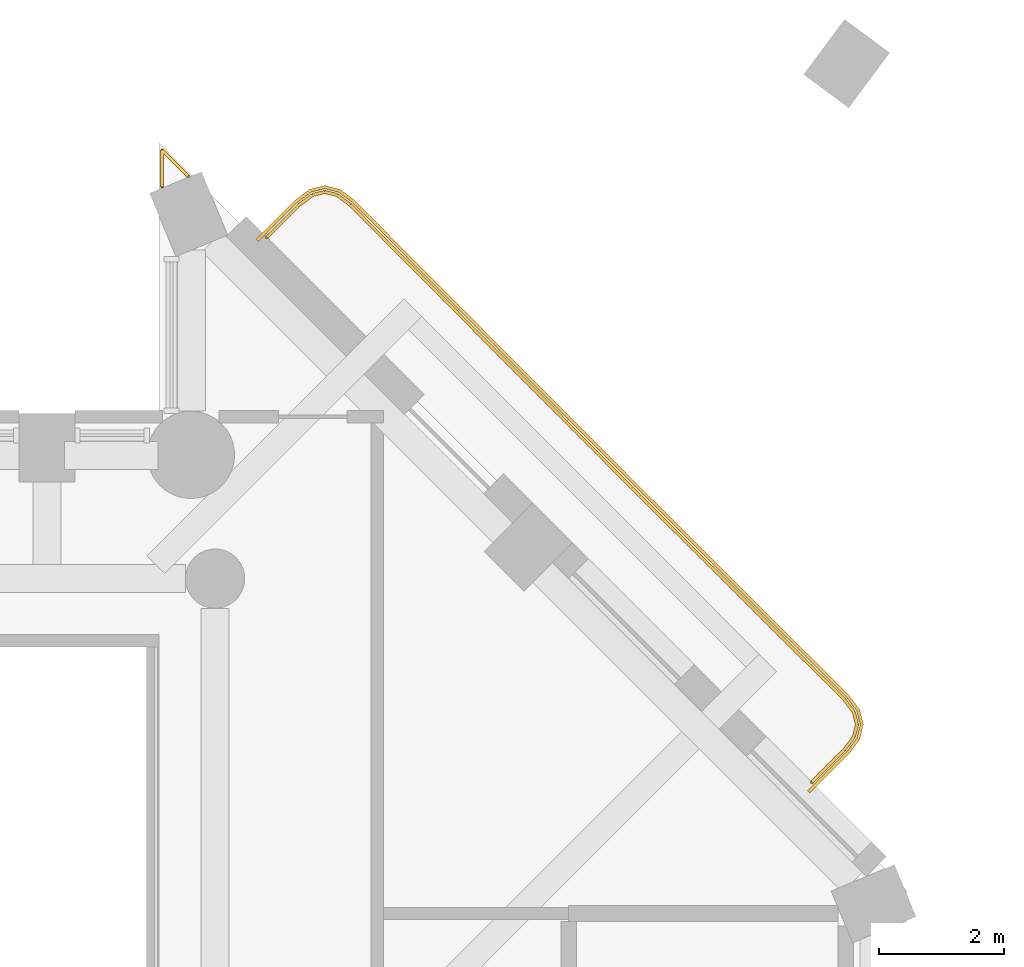
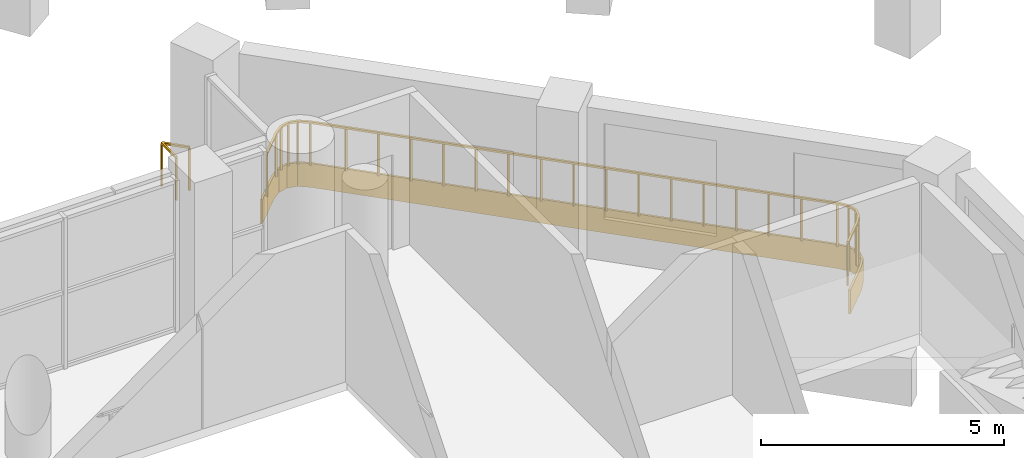
# One storey, part 14 of 14: 2 railings, 1 covering.
"""IFC4 building model written with IfcOpenShell, lengths in metres."""

import ifcopenshell
import ifcopenshell.guid

model = None  # the IFC model being written
_history = None  # IfcOwnerHistory: only IFC2X3 demands one
_inside = {}  # id of a spatial element -> (the spatial element, [elements in it])
_under = {}  # id of a project, library or spatial element -> (it, [spatial elements below it])
_declared = {}  # id of a project -> (the project, [libraries it declares])
_typed = {}  # id of a type object -> (the type object, [elements of that type])
_made_of = {}  # id of a material, layer set ... -> (it, [elements and type objects made of it])


def new_model(schema):
    """Start an empty IFC model of exactly this schema.

    Asked for "IFC4X3", IfcOpenShell would pick the latest addendum, in which some entities
    have other attributes; the version numbers below select the first issue.
    IFC2X3 requires an IfcOwnerHistory on every rooted entity: one is made here for all.
    """
    global model, _history
    if schema == "IFC4X3":
        model = ifcopenshell.file(schema_version=(4, 3, 0, 0))
    else:
        model = ifcopenshell.file(schema=schema)
    _inside.clear()
    _under.clear()
    _declared.clear()
    _typed.clear()
    _made_of.clear()
    _history = None
    if model.schema == "IFC2X3":
        org = make("IfcOrganization", Name="unknown")
        user = make(
            "IfcPersonAndOrganization",
            ThePerson=make("IfcPerson", FamilyName="unknown"),
            TheOrganization=org,
        )
        app = make(
            "IfcApplication",
            ApplicationDeveloper=org,
            Version="unknown",
            ApplicationFullName="unknown",
            ApplicationIdentifier="unknown",
        )
        _history = make(
            "IfcOwnerHistory",
            OwningUser=user,
            OwningApplication=app,
            ChangeAction="ADDED",
            CreationDate=0,
        )
    return model


def make(cls, **values):
    """One entity of the class cls with the attributes given. An attribute that is None is left unset."""
    return model.create_entity(
        cls, **{name: value for name, value in values.items() if value is not None}
    )


def rooted(cls, **values):
    """An entity with a GlobalId (a new one), such as an element, a storey or a relation."""
    return make(cls, GlobalId=ifcopenshell.guid.new(), OwnerHistory=_history, **values)


def si_unit(unit_type, name, prefix=None):
    """IfcSIUnit, for example si_unit("LENGTHUNIT", "METRE", prefix="MILLI")."""
    return make("IfcSIUnit", UnitType=unit_type, Prefix=prefix, Name=name)


def assignment(units):
    """IfcUnitAssignment: the units of a project."""
    return None if units is None else make("IfcUnitAssignment", Units=units)


def point(xyz):
    """IfcCartesianPoint."""
    return None if xyz is None else make("IfcCartesianPoint", Coordinates=xyz)


def direction(xyz):
    """IfcDirection."""
    return None if xyz is None else make("IfcDirection", DirectionRatios=xyz)


def frame(location, z_axis=None, x_axis=None):
    """IfcAxis2Placement3D, a coordinate frame: its origin and axes. An axis left out is left unset."""
    return make(
        "IfcAxis2Placement3D",
        Location=point(location),
        Axis=direction(z_axis),
        RefDirection=direction(x_axis),
    )


def frame_2d(location, x_axis=None):
    """IfcAxis2Placement2D, a coordinate frame in the plane: its origin and x axis."""
    return make(
        "IfcAxis2Placement2D", Location=point(location), RefDirection=direction(x_axis)
    )


def origin():
    """The frame at (0, 0, 0) with its axes left unset."""
    return frame((0.0, 0.0, 0.0))


def origin_2d():
    """The frame at (0, 0) in the plane with its x axis left unset."""
    return frame_2d((0.0, 0.0))


def place(relative_to, where):
    """IfcLocalPlacement: puts the frame where relative to a parent placement (None: the world)."""
    return make(
        "IfcLocalPlacement", PlacementRelTo=relative_to, RelativePlacement=where
    )


def context(
    kind, dimensions, precision=None, world=None, true_north=None, identifier=None
):
    """IfcGeometricRepresentationContext, for example the 3D "Model" context."""
    return make(
        "IfcGeometricRepresentationContext",
        ContextIdentifier=identifier,
        ContextType=kind,
        CoordinateSpaceDimension=dimensions,
        Precision=precision,
        WorldCoordinateSystem=world,
        TrueNorth=true_north,
    )


def subcontext(parent, identifier, kind, view, scale=None):
    """IfcGeometricRepresentationSubContext, for example "Body" below "Model"."""
    return make(
        "IfcGeometricRepresentationSubContext",
        ContextIdentifier=identifier,
        ContextType=kind,
        ParentContext=parent,
        TargetScale=scale,
        TargetView=view,
    )


def project(units=None, contexts=None):
    """IfcProject with its units and contexts."""
    return rooted(
        "IfcProject",
        Name="project",
        RepresentationContexts=contexts,
        UnitsInContext=assignment(units),
    )


def spatial(cls, under=None, at=None, **own):
    """A site, building, storey or space (cls), placed at a placement, below another one or the project."""
    s = rooted(cls, ObjectPlacement=at, **own)
    if under is not None:
        _under.setdefault(under.id(), (under, []))[1].append(s)
    return s


def polyline(points):
    """IfcPolyline through the points."""
    return make("IfcPolyline", Points=[point(p) for p in points])


def profile(cls, at=None, kind="AREA", **sizes):
    """A parametric profile (cls). Its sizes go by their IFC names, for example OverallWidth=200.0."""
    return make(cls, ProfileType=kind, Position=at, **sizes)


def rectangle(**sizes):
    """IfcRectangleProfileDef."""
    return profile("IfcRectangleProfileDef", **sizes)


def outline(outer, holes=None, kind="AREA"):
    """IfcArbitraryClosedProfileDef: a profile drawn as a closed curve; with holes, ...WithVoids."""
    if holes is None:
        return make("IfcArbitraryClosedProfileDef", ProfileType=kind, OuterCurve=outer)
    return make(
        "IfcArbitraryProfileDefWithVoids",
        ProfileType=kind,
        OuterCurve=outer,
        InnerCurves=holes,
    )


def extrude(swept, where, along, depth):
    """IfcExtrudedAreaSolid: the profile swept, set in the frame where, extruded along a direction by depth."""
    return make(
        "IfcExtrudedAreaSolid",
        SweptArea=swept,
        Position=where,
        ExtrudedDirection=direction(along),
        Depth=depth,
    )


def shape(context_of_items, identifier, shape_type, items):
    """IfcShapeRepresentation: the items that make up one representation, for example the "Body"."""
    return make(
        "IfcShapeRepresentation",
        ContextOfItems=context_of_items,
        RepresentationIdentifier=identifier,
        RepresentationType=shape_type,
        Items=items,
    )


def material(Name=None, Category=None):
    """IfcMaterial."""
    return make("IfcMaterial", Name=Name, Category=Category)


def layer(
    of_material, thickness, ventilated=None, Name=None, Category=None, Priority=None
):
    """IfcMaterialLayer: one layer of a wall or slab, of a material (None: an air gap)."""
    return make(
        "IfcMaterialLayer",
        Material=of_material,
        LayerThickness=thickness,
        IsVentilated=ventilated,
        Name=Name,
        Category=Category,
        Priority=Priority,
    )


def layer_set(layers, Name=None):
    """IfcMaterialLayerSet."""
    return make("IfcMaterialLayerSet", MaterialLayers=layers, LayerSetName=Name)


def made_of(thing, what):
    """Note that an element or type object is made of a material, layer set ...; save() writes the relation."""
    if what is not None:
        _made_of.setdefault(what.id(), (what, []))[1].append(thing)
    return thing


def type_object(cls, material=None, **own):
    """A type object (cls), such as IfcWallType, which elements share."""
    return made_of(rooted(cls, **own), material)


def element(
    cls,
    number,
    at=None,
    inside=None,
    cuts=None,
    type_object=None,
    material=None,
    context=None,
    identifier="Body",
    shape_type=None,
    held_by="IfcProductDefinitionShape",
    body=None,
    shapes=None,
    **own,
):
    """One element of the class cls, such as IfcWall. Its Tag is "e" and its number.

    at: its placement. inside: the storey or other place that contains it. cuts: it is an
    opening in that element (IfcRelVoidsElement). A single representation is given by context,
    identifier, shape_type and body (its items); several are given by shapes. held_by: the class
    of the entity that holds the representations. save() writes the other relations.
    """
    e = rooted(cls, Tag="e%d" % number, ObjectPlacement=at, **own)
    if body is not None:
        shapes = [shape(context, identifier, shape_type, body)]
    if shapes is not None:
        e.Representation = make(held_by, Representations=shapes)
    if inside is not None:
        _inside.setdefault(inside.id(), (inside, []))[1].append(e)
    if cuts is not None:
        rooted(
            "IfcRelVoidsElement", RelatingBuildingElement=cuts, RelatedOpeningElement=e
        )
    if type_object is not None:
        _typed.setdefault(type_object.id(), (type_object, []))[1].append(e)
    return made_of(e, material)


def aggregate(whole, parts):
    """IfcRelAggregates: a whole, such as a stair, and the parts it consists of."""
    return rooted("IfcRelAggregates", RelatingObject=whole, RelatedObjects=parts)


def save(model, path):
    """Write the relations noted so far, then the file.

    IfcRelAggregates (storeys below a building ...), IfcRelContainedInSpatialStructure (elements
    in a storey), IfcRelDefinesByType, IfcRelAssociatesMaterial and IfcRelDeclares: one each for
    every whole, place, type object, material and project.
    """
    for whole, parts in _under.values():
        aggregate(whole, parts)
    for where, things in _inside.values():
        rooted(
            "IfcRelContainedInSpatialStructure",
            RelatedElements=things,
            RelatingStructure=where,
        )
    for kind, things in _typed.values():
        rooted("IfcRelDefinesByType", RelatedObjects=things, RelatingType=kind)
    for what, things in _made_of.values():
        rooted("IfcRelAssociatesMaterial", RelatedObjects=things, RelatingMaterial=what)
    for by, libraries in _declared.values():
        rooted("IfcRelDeclares", RelatingContext=by, RelatedDefinitions=libraries)
    model.write(path)


model = new_model("IFC4")

# Units and contexts
model_context = context("Model", 3, precision=1e-05, world=origin(), true_north=direction((0.0, 1.0)))
body_context = subcontext(model_context, "Body", "Model", "MODEL_VIEW")
ifc_project = project(units=[si_unit("LENGTHUNIT", "METRE"), si_unit("AREAUNIT", "SQUARE_METRE"), si_unit("VOLUMEUNIT", "CUBIC_METRE"), si_unit("PLANEANGLEUNIT", "RADIAN"), si_unit("MASSUNIT", "GRAM", prefix="KILO")], contexts=[model_context])

# Site, building, storey
site_placement = place(None, origin())
site = spatial("IfcSite", under=ifc_project, at=site_placement, CompositionType="ELEMENT")
building_placement = place(site_placement, origin())
building = spatial("IfcBuilding", under=site, at=building_placement, Name="Cypress Arch Tower", CompositionType="ELEMENT")
storey_placement = place(building_placement, frame((0.0, 0.0, 201.5)))
storey = spatial("IfcBuildingStorey", under=building, at=storey_placement, Name="L44", CompositionType="ELEMENT", Elevation=201.5)

# Covering
ifc_material_1 = material(Name="White powder-coated aluminium fascia", Category="aluminium")
ifc_layer = layer(ifc_material_1, 0.050048828125)
ifc_layer_set = layer_set([ifc_layer], Name="Balcony fascia BF50")
covering_type = type_object("IfcCoveringType", Name="Balcony fascia BF50", PredefinedType="CLADDING", material=ifc_layer_set)
covering_placement = place(storey_placement, frame((0.0, 0.0, -0.60009765625)))
element("IfcCovering", 1, at=covering_placement, inside=storey, type_object=covering_type, Name="Balcony fascia L44-B05", PredefinedType="CLADDING", context=body_context, shape_type="SweptSolid", body=[
    extrude(outline(polyline([(10.288330078125, 16.0771484375), (10.519775390625, 16.25048828125), (10.761962890625, 16.31103515625), (11.004150390625, 16.25), (11.235107421875, 16.076171875), (11.775146484375, 15.533447265625), (12.75244140625, 14.551025390625), (13.7294921875, 13.568603515625), (14.70703125, 12.5869140625), (15.68603515625, 11.606201171875), (16.666015625, 10.626708984375), (17.6474609375, 9.648681640625), (18.629638671875, 8.67138671875), (19.172607421875, 8.131591796875), (19.3466796875, 7.900634765625), (19.40771484375, 7.65869140625), (19.347412109375, 7.41650390625), (19.173828125, 7.185302734375), (18.545166015625, 6.556396484375), (18.509765625, 6.591796875), (19.135986328125, 7.218017578125), (19.30126953125, 7.4384765625), (19.356201171875, 7.65869140625), (19.30078125, 7.878662109375), (19.134765625, 8.0986328125), (18.594482421875, 8.635986328125), (17.612060546875, 9.61328125), (16.630859375, 10.59130859375), (15.650634765625, 11.57080078125), (14.671630859375, 12.551513671875), (13.694091796875, 13.533447265625), (12.716796875, 14.515869140625), (11.73974609375, 15.498291015625), (11.2021484375, 16.038330078125), (10.982177734375, 16.2041015625), (10.761962890625, 16.259521484375), (10.541748046875, 16.20458984375), (10.3212890625, 16.039306640625), (9.691650390625, 15.40966796875), (9.65625, 15.445068359375), (10.288330078125, 16.0771484375)])), origin(), (0.0, 0.0, 1.0), 0.60009765625),
])

# Railings
ifc_material_2 = material(Name="Powder-coated steel posts and rods, 100 mm clear between rods", Category="steel")
railing_type_1 = type_object("IfcRailingType", Name="Balcony guard GR1100", PredefinedType="GUARDRAIL", material=ifc_material_2)
railing_1_placement = place(storey_placement, frame((9.83251953125, 15.479736328125, 0.0)))
element("IfcRailing", 2, at=railing_1_placement, inside=storey, type_object=railing_type_1, Name="Balcony guard L44-B05", PredefinedType="GUARDRAIL", context=body_context, shape_type="SweptSolid", body=[
    extrude(rectangle(XDim=0.050048828125, YDim=0.050048828125, at=origin_2d()), frame((0.0, 0.0, 1.0751953125), z_axis=(0.706941279314, 0.707272244332, 0.0), x_axis=(-0.707272244332, 0.706941279314, 0.0)), (0.0, 0.0, 1.0), 0.737548828125),
    extrude(rectangle(XDim=0.050048828125, YDim=0.050048828125, at=origin_2d()), frame((0.521484375, 0.521728515625, 1.0751953125), z_axis=(0.80022378315, 0.599701506486, 0.0), x_axis=(-0.599701506486, 0.80022378315, 0.0)), (0.0, 0.0, 1.0), 0.26171875),
    extrude(rectangle(XDim=0.050048828125, YDim=0.050048828125, at=origin_2d()), frame((0.73095703125, 0.6787109375, 1.0751953125), z_axis=(0.970212657951, 0.242254821112, 0.0), x_axis=(-0.242254821112, 0.970212657951, 0.0)), (0.0, 0.0, 1.0), 0.20458984375),
    extrude(rectangle(XDim=0.050048828125, YDim=0.050048828125, at=origin_2d()), frame((0.929443359375, 0.728271484375, 1.0751953125), z_axis=(0.969506314275, -0.245066330982, 0.0), x_axis=(0.245066330982, 0.969506314275, 0.0)), (0.0, 0.0, 1.0), 0.204345703125),
    extrude(rectangle(XDim=0.050048828125, YDim=0.050048828125, at=origin_2d()), frame((1.12744140625, 0.67822265625, 1.0751953125), z_axis=(0.798991975801, -0.601341685405, 0.0), x_axis=(0.601341685405, 0.798991975801, 0.0)), (0.0, 0.0, 1.0), 0.261962890625),
    extrude(rectangle(XDim=0.050048828125, YDim=0.050048828125, at=origin_2d()), frame((1.336669921875, 0.520751953125, 1.0751953125), z_axis=(0.705495698859, -0.708714201135, 0.0), x_axis=(0.708714201135, 0.705495698859, 0.0)), (0.0, 0.0, 1.0), 0.758544921875),
    extrude(rectangle(XDim=0.050048828125, YDim=0.050048828125, at=origin_2d()), frame((1.871826171875, -0.016845703125, 1.0751953125), z_axis=(0.705165887676, -0.709042361822, 0.0), x_axis=(0.709042361822, 0.705165887676, 0.0)), (0.0, 0.0, 1.0), 1.385498046875),
    extrude(rectangle(XDim=0.050048828125, YDim=0.050048828125, at=origin_2d()), frame((2.848876953125, -0.999267578125, 1.0751953125), z_axis=(0.705165887676, -0.709042361822, 0.0), x_axis=(0.709042361822, 0.705165887676, 0.0)), (0.0, 0.0, 1.0), 1.385498046875),
    extrude(rectangle(XDim=0.050048828125, YDim=0.050048828125, at=origin_2d()), frame((3.825927734375, -1.981689453125, 1.0751953125), z_axis=(0.705607651071, -0.708602739728, 0.0), x_axis=(0.708602739728, 0.705607651071, 0.0)), (0.0, 0.0, 1.0), 1.3857421875),
    extrude(rectangle(XDim=0.050048828125, YDim=0.050048828125, at=origin_2d()), frame((4.8037109375, -2.963623046875, 1.0751953125), z_axis=(0.706489875267, -0.707723149364, 0.0), x_axis=(0.707723149364, 0.706489875267, 0.0)), (0.0, 0.0, 1.0), 1.3857421875),
    extrude(rectangle(XDim=0.050048828125, YDim=0.050048828125, at=origin_2d()), frame((5.78271484375, -3.9443359375, 1.0751953125), z_axis=(0.707371004905, -0.706842458699, 0.0), x_axis=(0.706842458699, 0.707371004905, 0.0)), (0.0, 0.0, 1.0), 1.3857421875),
    extrude(rectangle(XDim=0.050048828125, YDim=0.050048828125, at=origin_2d()), frame((6.762939453125, -4.923828125, 1.0751953125), z_axis=(0.708339131784, -0.705872279087, 0.0), x_axis=(0.705872279087, 0.708339131784, 0.0)), (0.0, 0.0, 1.0), 1.385498046875),
    extrude(rectangle(XDim=0.050048828125, YDim=0.050048828125, at=origin_2d()), frame((7.744384765625, -5.90185546875, 1.0751953125), z_axis=(0.708866620633, -0.70534255093, 0.0), x_axis=(0.70534255093, 0.708866620633, 0.0)), (0.0, 0.0, 1.0), 1.385498046875),
    extrude(rectangle(XDim=0.050048828125, YDim=0.050048828125, at=origin_2d()), frame((8.7265625, -6.879150390625, 1.0751953125), z_axis=(0.709035243444, -0.705173045114, 0.0), x_axis=(0.705173045114, 0.709035243444, 0.0)), (0.0, 0.0, 1.0), 0.758544921875),
    extrude(rectangle(XDim=0.050048828125, YDim=0.050048828125, at=origin_2d()), frame((9.264404296875, -7.4140625, 1.0751953125), z_axis=(0.60238448715, -0.79820606966, 0.0), x_axis=(0.79820606966, 0.60238448715, 0.0)), (0.0, 0.0, 1.0), 0.26171875),
    extrude(rectangle(XDim=0.050048828125, YDim=0.050048828125, at=origin_2d()), frame((9.422119140625, -7.623046875, 1.0751953125), z_axis=(0.244782619398, -0.969577985126, 0.0), x_axis=(0.969577985126, 0.244782619398, 0.0)), (0.0, 0.0, 1.0), 0.204345703125),
    extrude(rectangle(XDim=0.050048828125, YDim=0.050048828125, at=origin_2d()), frame((9.47216796875, -7.8212890625, 1.0751953125), z_axis=(-0.242535625036, -0.970142500145, 0.0), x_axis=(0.970142500145, -0.242535625036, 0.0)), (0.0, 0.0, 1.0), 0.204345703125),
    extrude(rectangle(XDim=0.050048828125, YDim=0.050048828125, at=origin_2d()), frame((9.422607421875, -8.01953125, 1.0751953125), z_axis=(-0.600149326859, -0.799887983077, 0.0), x_axis=(0.799887983077, -0.600149326859, 0.0)), (0.0, 0.0, 1.0), 0.261474609375),
    extrude(rectangle(XDim=0.050048828125, YDim=0.050048828125, at=origin_2d()), frame((9.265625, -8.228759765625, 1.0751953125), z_axis=(-0.706940265997, -0.707273257173, 0.0), x_axis=(0.707273257173, -0.706940265997, 0.0)), (0.0, 0.0, 1.0), 0.733154296875),
    extrude(rectangle(XDim=0.0400390625, YDim=0.0400390625, at=origin_2d()), origin(), (0.0, 0.0, 1.0), 1.050048828125),
    extrude(rectangle(XDim=0.0400390625, YDim=0.0400390625, at=origin_2d()), frame((0.521484375, 0.521728515625, 0.0)), (0.0, 0.0, 1.0), 1.050048828125),
    extrude(rectangle(XDim=0.0400390625, YDim=0.0400390625, at=origin_2d()), frame((0.73095703125, 0.6787109375, 0.0)), (0.0, 0.0, 1.0), 1.050048828125),
    extrude(rectangle(XDim=0.0400390625, YDim=0.0400390625, at=origin_2d()), frame((0.929443359375, 0.728271484375, 0.0)), (0.0, 0.0, 1.0), 1.050048828125),
    extrude(rectangle(XDim=0.0400390625, YDim=0.0400390625, at=origin_2d()), frame((1.12744140625, 0.67822265625, 0.0)), (0.0, 0.0, 1.0), 1.050048828125),
    extrude(rectangle(XDim=0.0400390625, YDim=0.0400390625, at=origin_2d()), frame((1.336669921875, 0.520751953125, 0.0)), (0.0, 0.0, 1.0), 1.050048828125),
    extrude(rectangle(XDim=0.0400390625, YDim=0.0400390625, at=origin_2d()), frame((1.871826171875, -0.016845703125, 0.0)), (0.0, 0.0, 1.0), 1.050048828125),
    extrude(rectangle(XDim=0.0400390625, YDim=0.0400390625, at=origin_2d()), frame((2.3603515625, -0.508056640625, 0.0)), (0.0, 0.0, 1.0), 1.050048828125),
    extrude(rectangle(XDim=0.0400390625, YDim=0.0400390625, at=origin_2d()), frame((2.848876953125, -0.999267578125, 0.0)), (0.0, 0.0, 1.0), 1.050048828125),
    extrude(rectangle(XDim=0.0400390625, YDim=0.0400390625, at=origin_2d()), frame((3.33740234375, -1.490478515625, 0.0)), (0.0, 0.0, 1.0), 1.050048828125),
    extrude(rectangle(XDim=0.0400390625, YDim=0.0400390625, at=origin_2d()), frame((3.825927734375, -1.981689453125, 0.0)), (0.0, 0.0, 1.0), 1.050048828125),
    extrude(rectangle(XDim=0.0400390625, YDim=0.0400390625, at=origin_2d()), frame((4.31494140625, -2.47265625, 0.0)), (0.0, 0.0, 1.0), 1.050048828125),
    extrude(rectangle(XDim=0.0400390625, YDim=0.0400390625, at=origin_2d()), frame((4.8037109375, -2.963623046875, 0.0)), (0.0, 0.0, 1.0), 1.050048828125),
    extrude(rectangle(XDim=0.0400390625, YDim=0.0400390625, at=origin_2d()), frame((5.293212890625, -3.4541015625, 0.0)), (0.0, 0.0, 1.0), 1.050048828125),
    extrude(rectangle(XDim=0.0400390625, YDim=0.0400390625, at=origin_2d()), frame((5.78271484375, -3.9443359375, 0.0)), (0.0, 0.0, 1.0), 1.050048828125),
    extrude(rectangle(XDim=0.0400390625, YDim=0.0400390625, at=origin_2d()), frame((6.27294921875, -4.43408203125, 0.0)), (0.0, 0.0, 1.0), 1.050048828125),
    extrude(rectangle(XDim=0.0400390625, YDim=0.0400390625, at=origin_2d()), frame((6.762939453125, -4.923828125, 0.0)), (0.0, 0.0, 1.0), 1.050048828125),
    extrude(rectangle(XDim=0.0400390625, YDim=0.0400390625, at=origin_2d()), frame((7.253662109375, -5.412841796875, 0.0)), (0.0, 0.0, 1.0), 1.050048828125),
    extrude(rectangle(XDim=0.0400390625, YDim=0.0400390625, at=origin_2d()), frame((7.744384765625, -5.90185546875, 0.0)), (0.0, 0.0, 1.0), 1.050048828125),
    extrude(rectangle(XDim=0.0400390625, YDim=0.0400390625, at=origin_2d()), frame((8.2353515625, -6.390625, 0.0)), (0.0, 0.0, 1.0), 1.050048828125),
    extrude(rectangle(XDim=0.0400390625, YDim=0.0400390625, at=origin_2d()), frame((8.7265625, -6.879150390625, 0.0)), (0.0, 0.0, 1.0), 1.050048828125),
    extrude(rectangle(XDim=0.0400390625, YDim=0.0400390625, at=origin_2d()), frame((9.264404296875, -7.4140625, 0.0)), (0.0, 0.0, 1.0), 1.050048828125),
    extrude(rectangle(XDim=0.0400390625, YDim=0.0400390625, at=origin_2d()), frame((9.422119140625, -7.623046875, 0.0)), (0.0, 0.0, 1.0), 1.050048828125),
    extrude(rectangle(XDim=0.0400390625, YDim=0.0400390625, at=origin_2d()), frame((9.47216796875, -7.8212890625, 0.0)), (0.0, 0.0, 1.0), 1.050048828125),
    extrude(rectangle(XDim=0.0400390625, YDim=0.0400390625, at=origin_2d()), frame((9.422607421875, -8.01953125, 0.0)), (0.0, 0.0, 1.0), 1.050048828125),
    extrude(rectangle(XDim=0.0400390625, YDim=0.0400390625, at=origin_2d()), frame((9.265625, -8.228759765625, 0.0)), (0.0, 0.0, 1.0), 1.050048828125),
    extrude(rectangle(XDim=0.0400390625, YDim=0.0400390625, at=origin_2d()), frame((8.747314453125, -8.747314453125, 0.0)), (0.0, 0.0, 1.0), 1.050048828125),
])
ifc_material_3 = material(Name="Powder-coated steel posts and rods, 100 mm clear between rods", Category="steel")
railing_type_2 = type_object("IfcRailingType", Name="Corner guard GR1100C", PredefinedType="GUARDRAIL", material=ifc_material_3)
railing_2_placement = place(storey_placement, frame((8.14990234375, 16.290771484375, 0.0)))
element("IfcRailing", 3, at=railing_2_placement, inside=storey, type_object=railing_type_2, Name="Corner guard L44 7", PredefinedType="GUARDRAIL", context=body_context, shape_type="SweptSolid", body=[
    extrude(rectangle(XDim=0.050048828125, YDim=0.050048828125, at=origin_2d()), frame((0.0, 0.0, 1.0751953125), z_axis=(0.0, 1.0, 0.0), x_axis=(-1.0, 0.0, 0.0)), (0.0, 0.0, 1.0), 0.588623046875),
    extrude(rectangle(XDim=0.050048828125, YDim=0.050048828125, at=origin_2d()), frame((0.0, 0.588623046875, 1.0751953125), z_axis=(0.707106781187, -0.707106781187, 0.0), x_axis=(0.707106781187, 0.707106781187, 0.0)), (0.0, 0.0, 1.0), 0.588623046875),
    extrude(rectangle(XDim=0.0400390625, YDim=0.0400390625, at=origin_2d()), origin(), (0.0, 0.0, 1.0), 1.050048828125),
    extrude(rectangle(XDim=0.0400390625, YDim=0.0400390625, at=origin_2d()), frame((0.0, 0.588623046875, 0.0)), (0.0, 0.0, 1.0), 1.050048828125),
    extrude(rectangle(XDim=0.0400390625, YDim=0.0400390625, at=origin_2d()), frame((0.416259765625, 0.17236328125, 0.0)), (0.0, 0.0, 1.0), 1.050048828125),
])

save(model, "model.ifc")
